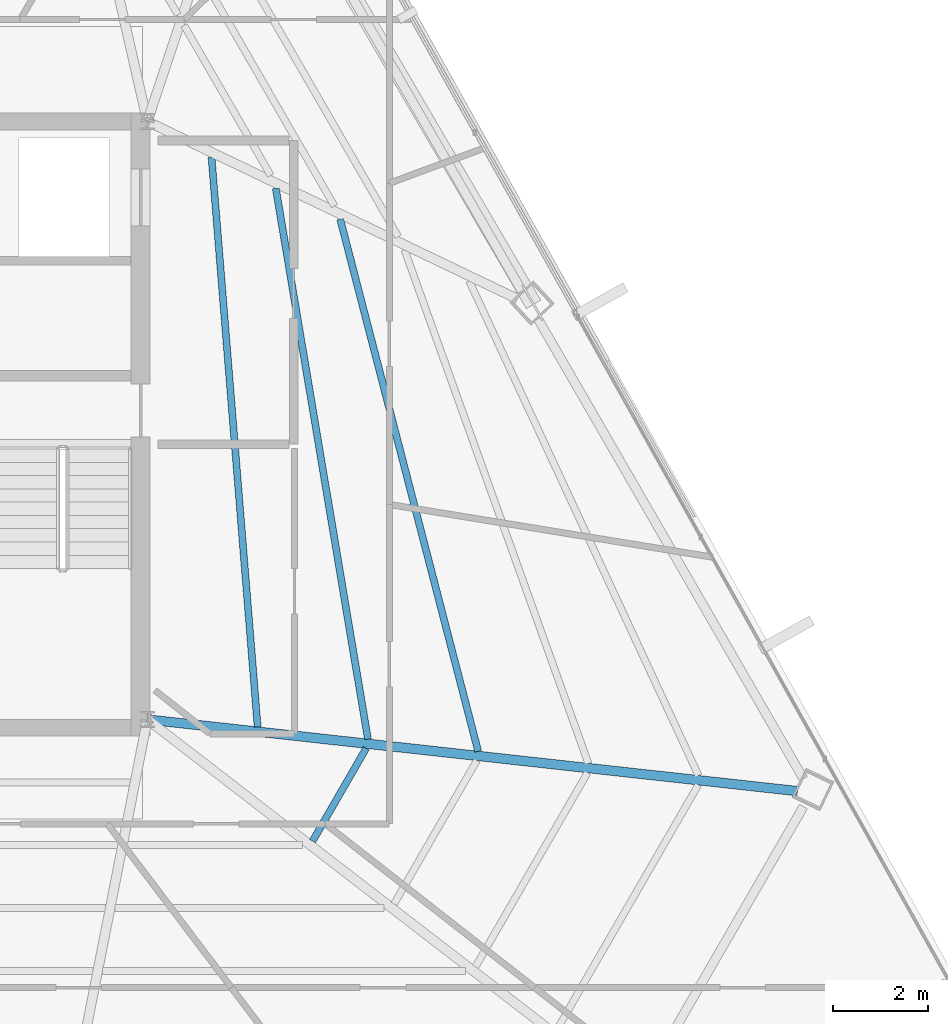
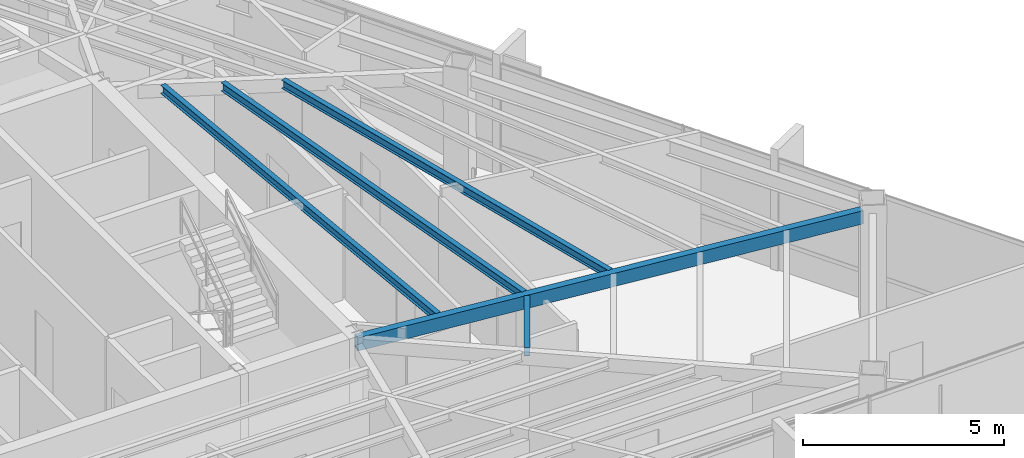
# One storey, part 22 of 44: 5 beams.
"""IFC4 building model written with IfcOpenShell, lengths in metres."""

from ifc_helpers import new_model, si_unit, direction, frame, origin, origin_2d, place, context, subcontext, project, spatial, hollow_rectangle, i_section, extrude, source, transform, mapped, material, material_profile, profile_set, type_object, type_shapes, element, save


model = new_model("IFC4")

# Units and contexts
model_context = context("Model", 3, precision=1e-05, world=origin(), true_north=direction((0.0, 1.0)))
body_context = subcontext(model_context, "Body", "Model", "MODEL_VIEW")
ifc_project = project(units=[si_unit("LENGTHUNIT", "METRE"), si_unit("AREAUNIT", "SQUARE_METRE"), si_unit("VOLUMEUNIT", "CUBIC_METRE"), si_unit("PLANEANGLEUNIT", "RADIAN"), si_unit("MASSUNIT", "GRAM", prefix="KILO")], contexts=[model_context])

# Site, building, storey
site_placement = place(None, origin())
site = spatial("IfcSite", under=ifc_project, at=site_placement, CompositionType="ELEMENT")
building_placement = place(site_placement, origin())
building = spatial("IfcBuilding", under=site, at=building_placement, Name="Caelisora Broadcast Tower", CompositionType="ELEMENT")
storey_placement = place(building_placement, frame((0.0, 0.0, 259.050048828125)))
storey = spatial("IfcBuildingStorey", under=building, at=storey_placement, Name="L68", CompositionType="ELEMENT", Elevation=259.050048828125)

# Beams
ifc_material_1 = material(Name="Steel Grade 350 (AS/NZS 1163 C350L0)", Category="steel")
ifc_material_profile_1 = material_profile(ifc_material_1, hollow_rectangle(XDim=0.199951171875, YDim=0.39990234375, WallThickness=0.012451171875, at=origin_2d()), Name="Steel Grade 350 (AS/NZS 1163 C350L0)")
ifc_profile_set_1 = profile_set([ifc_material_profile_1], Name="Steel Grade 350 (AS/NZS 1163 C350L0)")
beam_type_1 = type_object("IfcBeamType", Name="PG07", PredefinedType="BEAM", material=ifc_profile_set_1)
shared_shape_1 = source(origin(), body_context, "Body", "SweptSolid", [
    extrude(hollow_rectangle(XDim=0.199951171875, YDim=0.39990234375, WallThickness=0.012451171875, at=origin_2d()), origin(), (0.0, 0.0, 1.0), 13.720947265625),
])
type_shapes(beam_type_1, [shared_shape_1])
beam_1_placement = place(storey_placement, frame((45.5595703125, 17.393310546875, 3.199951171875), z_axis=(0.9939809917, -0.109552672894, 0.0), x_axis=(0.109552672894, 0.9939809917, 0.0)))
element("IfcBeam", 1, at=beam_1_placement, inside=storey, type_object=beam_type_1, Name="L68 beam PG07", PredefinedType="BEAM", context=body_context, shape_type="MappedRepresentation", body=[
    mapped(shared_shape_1, transform((0.0, 0.0, 0.0), scale=1.0)),
])
ifc_material_2 = material(Name="Steel Grade 350 (AS/NZS 3679.1)", Category="steel")
ifc_material_profile_2 = material_profile(ifc_material_2, i_section(OverallWidth=0.14599609375, OverallDepth=0.256103515625, WebThickness=0.00634765625, FlangeThickness=0.010986328125, at=origin_2d()), Name="Steel Grade 350 (AS/NZS 3679.1)")
ifc_profile_set_2 = profile_set([ifc_material_profile_2], Name="Steel Grade 350 (AS/NZS 3679.1)")
beam_type_2 = type_object("IfcBeamType", Name="SB04", PredefinedType="JOIST", material=ifc_profile_set_2)
shared_shape_2 = source(origin(), body_context, "Body", "SweptSolid", [
    extrude(i_section(OverallWidth=0.14599609375, OverallDepth=0.256103515625, WebThickness=0.00634765625, FlangeThickness=0.010986328125, at=origin_2d()), origin(), (0.0, 0.0, 1.0), 12.041015625),
])
beam_2_placement = place(storey_placement, frame((47.824462890625, 17.241455078125, 3.27197265625), z_axis=(-0.080697729961, 0.996738619889, 0.0), x_axis=(-0.996738619889, -0.080697729961, 0.0)))
element("IfcBeam", 2, at=beam_2_placement, inside=storey, type_object=beam_type_2, Name="L68 beam SB04", PredefinedType="JOIST", context=body_context, shape_type="MappedRepresentation", body=[
    mapped(shared_shape_2, transform((0.0, 0.0, 0.0), scale=1.0)),
])
shared_shape_3 = source(origin(), body_context, "Body", "SweptSolid", [
    extrude(i_section(OverallWidth=0.14599609375, OverallDepth=0.256103515625, WebThickness=0.00634765625, FlangeThickness=0.010986328125, at=origin_2d()), origin(), (0.0, 0.0, 1.0), 11.769287109375),
])
beam_3_placement = place(storey_placement, frame((50.148193359375, 16.9853515625, 3.27197265625), z_axis=(-0.164953995728, 0.986301261934, 0.0), x_axis=(-0.986301261934, -0.164953995728, 0.0)))
element("IfcBeam", 3, at=beam_3_placement, inside=storey, type_object=beam_type_2, Name="L68 beam SB04", PredefinedType="JOIST", context=body_context, shape_type="MappedRepresentation", body=[
    mapped(shared_shape_3, transform((0.0, 0.0, 0.0), scale=1.0)),
])
shared_shape_4 = source(origin(), body_context, "Body", "SweptSolid", [
    extrude(i_section(OverallWidth=0.14599609375, OverallDepth=0.256103515625, WebThickness=0.00634765625, FlangeThickness=0.010986328125, at=origin_2d()), origin(), (0.0, 0.0, 1.0), 11.584716796875),
])
beam_4_placement = place(storey_placement, frame((52.470947265625, 16.7294921875, 3.27197265625), z_axis=(-0.251040415632, 0.967976605977, 0.0), x_axis=(-0.967976605977, -0.251040415632, 0.0)))
element("IfcBeam", 4, at=beam_4_placement, inside=storey, type_object=beam_type_2, Name="L68 beam SB04", PredefinedType="JOIST", context=body_context, shape_type="MappedRepresentation", body=[
    mapped(shared_shape_4, transform((0.0, 0.0, 0.0), scale=1.0)),
])
shared_shape_5 = source(origin(), body_context, "Body", "SweptSolid", [
    extrude(i_section(OverallWidth=0.14599609375, OverallDepth=0.256103515625, WebThickness=0.00634765625, FlangeThickness=0.010986328125, at=origin_2d()), origin(), (0.0, 0.0, 1.0), 2.259765625),
])
type_shapes(beam_type_2, [shared_shape_2, shared_shape_3, shared_shape_4, shared_shape_5])
beam_5_placement = place(storey_placement, frame((48.981689453125, 14.8369140625, 3.27197265625), z_axis=(0.4999967785, 0.866027263711, 0.0), x_axis=(-0.866027263711, 0.4999967785, 0.0)))
element("IfcBeam", 5, at=beam_5_placement, inside=storey, type_object=beam_type_2, Name="L68 beam SB04", PredefinedType="JOIST", context=body_context, shape_type="MappedRepresentation", body=[
    mapped(shared_shape_5, transform((0.0, 0.0, 0.0), scale=1.0)),
])

save(model, "model.ifc")
